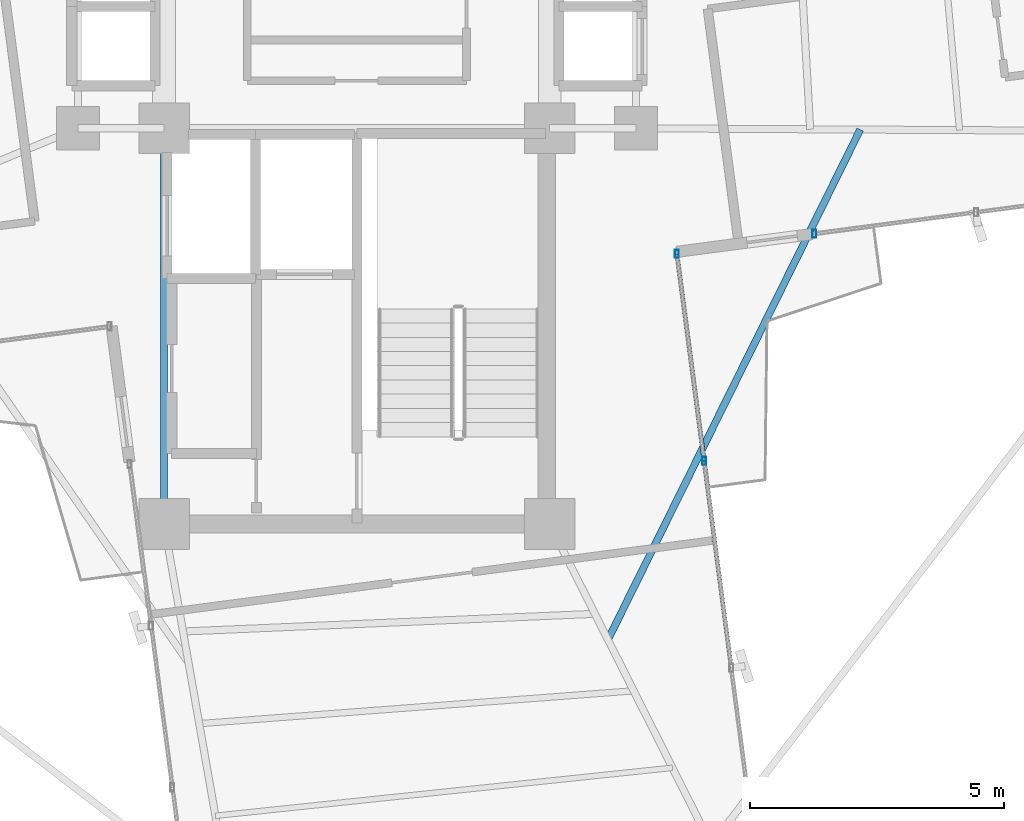
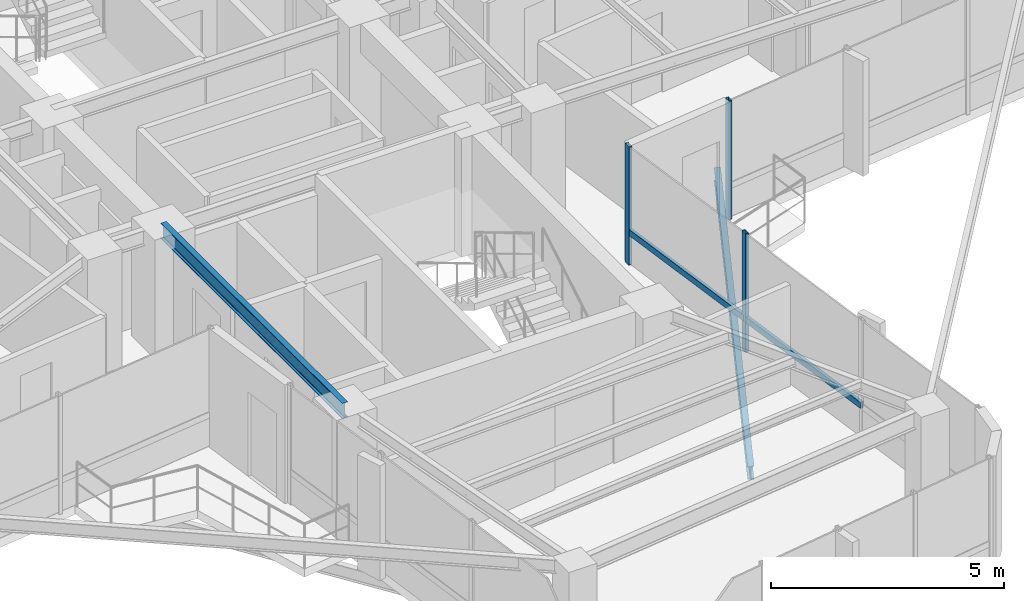
# One storey, part 5 of 22: 5 members, 2 beams, 2 elements without a shape of their own.
"""IFC4 building model written with IfcOpenShell, lengths in metres."""

from ifc_helpers import new_model, si_unit, direction, frame, origin, origin_2d, place, context, subcontext, project, spatial, hollow_rectangle, i_section, extrude, source, transform, mapped, material, material_profile, profile_set, type_object, element, aggregate, save


model = new_model("IFC4")

# Units and contexts
model_context = context("Model", 3, precision=1e-05, world=origin(), true_north=direction((0.0, 1.0)))
body_context = subcontext(model_context, "Body", "Model", "MODEL_VIEW")
ifc_project = project(units=[si_unit("LENGTHUNIT", "METRE"), si_unit("AREAUNIT", "SQUARE_METRE"), si_unit("VOLUMEUNIT", "CUBIC_METRE"), si_unit("PLANEANGLEUNIT", "RADIAN"), si_unit("MASSUNIT", "GRAM", prefix="KILO")], contexts=[model_context])

# Site, building, storey
site_placement = place(None, origin())
site = spatial("IfcSite", under=ifc_project, at=site_placement, CompositionType="ELEMENT")
building_placement = place(site_placement, origin())
building = spatial("IfcBuilding", under=site, at=building_placement, Name="Sahyath Konkavel Grand Hotel", CompositionType="ELEMENT")
storey_placement = place(building_placement, frame((0.0, 0.0, 244.5)))
storey = spatial("IfcBuildingStorey", under=building, at=storey_placement, Name="L68", CompositionType="ELEMENT", Elevation=244.5)

# Beam
ifc_material_1 = material(Name="Steel E350", Category="steel")
ifc_material_profile_1 = material_profile(ifc_material_1, i_section(OverallWidth=0.139892578125, OverallDepth=0.39990234375, WebThickness=0.0087890625, FlangeThickness=0.01611328125, FilletRadius=0.013916015625, at=origin_2d()), Name="ISMB 400")
ifc_profile_set_1 = profile_set([ifc_material_profile_1], Name="Steel E350")
beam_type_1 = type_object("IfcBeamType", Name="BM-ISMB400", PredefinedType="BEAM", material=ifc_profile_set_1)
shared_shape_1 = source(origin(), body_context, "Body", "SweptSolid", [
    extrude(i_section(OverallWidth=0.139892578125, OverallDepth=0.39990234375, WebThickness=0.0087890625, FlangeThickness=0.01611328125, FilletRadius=0.013916015625, at=origin_2d()), origin(), (0.0, 0.0, 1.0), 7.800048828125),
])
beam_1_placement = place(storey_placement, frame((-3.800048828125, -10.199951171875, 2.909912109375), z_axis=(0.0, 1.0, 0.0), x_axis=(-1.0, 0.0, 0.0)))
element("IfcBeam", 1, at=beam_1_placement, inside=storey, type_object=beam_type_1, Name="str:bm:L68:SC-W", PredefinedType="BEAM", context=body_context, shape_type="MappedRepresentation", body=[
    mapped(shared_shape_1, transform((0.0, 0.0, 0.0), scale=1.0)),
])

# Curtain wall, member
ifc_material_2 = material(Name="Anodised Bronze Aluminium & Low-E Glazing", Category="aluminium")
curtain_wall_type = type_object("IfcCurtainWallType", Name="CW-ZONE4", PredefinedType="NOTDEFINED", material=ifc_material_2)
curtain_wall_1_placement = place(storey_placement, origin())
curtain_wall_1 = element("IfcCurtainWall", 2, at=curtain_wall_1_placement, inside=storey, type_object=curtain_wall_type, Name="L68 Unitised Curtain Wall F0", PredefinedType="NOTDEFINED")
ifc_material_3 = material(Name="Anodised Bronze Aluminium", Category="aluminium")
ifc_material_profile_2 = material_profile(ifc_material_3, hollow_rectangle(XDim=0.080078125, YDim=0.159912109375, WallThickness=0.006103515625, at=origin_2d()), Name="RHS 160x80x6")
ifc_profile_set_2 = profile_set([ifc_material_profile_2], Name="Anodised Bronze Aluminium")
member_type_1 = type_object("IfcMemberType", Name="CW-MUL-160", PredefinedType="MULLION", material=ifc_profile_set_2)
shared_shape_2 = source(origin(), body_context, "Body", "SweptSolid", [
    extrude(hollow_rectangle(XDim=0.080078125, YDim=0.159912109375, WallThickness=0.006103515625, at=origin_2d()), origin(), (0.0, 0.0, 1.0), 3.110107421875),
])
member_1_placement = place(storey_placement, frame((9.018798828125, -4.478271484375, 0.0), z_axis=(0.0, 0.0, 1.0), x_axis=(1.0, 0.0, 0.0)))
member_1 = element("IfcMember", 3, at=member_1_placement, type_object=member_type_1, Name="L68 Curtain Wall Mullion F0-0", PredefinedType="MULLION", context=body_context, shape_type="MappedRepresentation", body=[
    mapped(shared_shape_2, transform((0.0, 0.0, 0.0), scale=1.0)),
])
aggregate(curtain_wall_1, [member_1])

# Curtain wall, members
curtain_wall_2_placement = place(storey_placement, origin())
curtain_wall_2 = element("IfcCurtainWall", 4, at=curtain_wall_2_placement, inside=storey, type_object=curtain_wall_type, Name="L68 Unitised Curtain Wall F31", PredefinedType="NOTDEFINED")
member_2_placement = place(storey_placement, frame((6.844482421875, -8.95556640625, 0.0), z_axis=(0.0, 0.0, 1.0), x_axis=(1.0, 0.0, 0.0)))
member_2 = element("IfcMember", 5, at=member_2_placement, type_object=member_type_1, Name="L68 Curtain Wall Mullion F31-2", PredefinedType="MULLION", context=body_context, shape_type="MappedRepresentation", body=[
    mapped(shared_shape_2, transform((0.0, 0.0, 0.0), scale=1.0)),
])
member_3_placement = place(storey_placement, frame((6.307373046875, -4.87548828125, 0.0), z_axis=(0.0, 0.0, 1.0), x_axis=(1.0, 0.0, 0.0)))
member_3 = element("IfcMember", 6, at=member_3_placement, type_object=member_type_1, Name="L68 Curtain Wall Mullion F31-3", PredefinedType="MULLION", context=body_context, shape_type="MappedRepresentation", body=[
    mapped(shared_shape_2, transform((0.0, 0.0, 0.0), scale=1.0)),
])
ifc_material_profile_3 = material_profile(ifc_material_3, hollow_rectangle(XDim=0.080078125, YDim=0.159912109375, WallThickness=0.006103515625, at=origin_2d()), Name="RHS 160x80x6")
ifc_profile_set_3 = profile_set([ifc_material_profile_3], Name="Anodised Bronze Aluminium")
member_type_2 = type_object("IfcMemberType", Name="CW-TRN-160", PredefinedType="USERDEFINED", material=ifc_profile_set_3)
shared_shape_3 = source(origin(), body_context, "Body", "SweptSolid", [
    extrude(hollow_rectangle(XDim=0.080078125, YDim=0.159912109375, WallThickness=0.006103515625, at=origin_2d()), origin(), (0.0, 0.0, 1.0), 4.115234375),
])
member_4_placement = place(storey_placement, frame((7.381591796875, -13.03564453125, 0.85009765625), z_axis=(-0.130515897359, 0.991446216664, 0.0), x_axis=(-0.991446216664, -0.130515897359, 0.0)))
member_4 = element("IfcMember", 7, at=member_4_placement, type_object=member_type_2, Name="L68 Curtain Wall Transom F31-1-spandrel", ObjectType="TRANSOM", PredefinedType="USERDEFINED", context=body_context, shape_type="MappedRepresentation", body=[
    mapped(shared_shape_3, transform((0.0, 0.0, 0.0), scale=1.0)),
])
member_5_placement = place(storey_placement, frame((6.844482421875, -8.95556640625, 0.85009765625), z_axis=(-0.130515897359, 0.991446216664, 0.0), x_axis=(-0.991446216664, -0.130515897359, 0.0)))
member_5 = element("IfcMember", 8, at=member_5_placement, type_object=member_type_2, Name="L68 Curtain Wall Transom F31-2-spandrel", ObjectType="TRANSOM", PredefinedType="USERDEFINED", context=body_context, shape_type="MappedRepresentation", body=[
    mapped(shared_shape_3, transform((0.0, 0.0, 0.0), scale=1.0)),
])
aggregate(curtain_wall_2, [member_2, member_3, member_4, member_5])

# Beam
ifc_material_profile_4 = material_profile(ifc_material_1, i_section(OverallWidth=0.139892578125, OverallDepth=0.35009765625, WebThickness=0.008056640625, FlangeThickness=0.01416015625, FilletRadius=0.013916015625, at=origin_2d()), Name="ISMB 350")
ifc_profile_set_4 = profile_set([ifc_material_profile_4], Name="Steel E350")
beam_type_2 = type_object("IfcBeamType", Name="BM-BALC-CANT", PredefinedType="BEAM", material=ifc_profile_set_4)
shared_shape_4 = source(origin(), body_context, "Body", "SweptSolid", [
    extrude(i_section(OverallWidth=0.139892578125, OverallDepth=0.35009765625, WebThickness=0.008056640625, FlangeThickness=0.01416015625, FilletRadius=0.013916015625, at=origin_2d()), origin(), (0.0, 0.0, 1.0), 11.218017578125),
])
beam_2_placement = place(storey_placement, frame((4.947998046875, -12.48095703125, -0.4150390625), z_axis=(0.443335573911, 0.896355715609, 0.0), x_axis=(-0.896355715609, 0.443335573911, 0.0)))
element("IfcBeam", 9, at=beam_2_placement, inside=storey, type_object=beam_type_2, Name="L68 Balcony Cantilever Support Beam SE", PredefinedType="BEAM", context=body_context, shape_type="MappedRepresentation", body=[
    mapped(shared_shape_4, transform((0.0, 0.0, 0.0), scale=1.0)),
])

save(model, "model.ifc")
